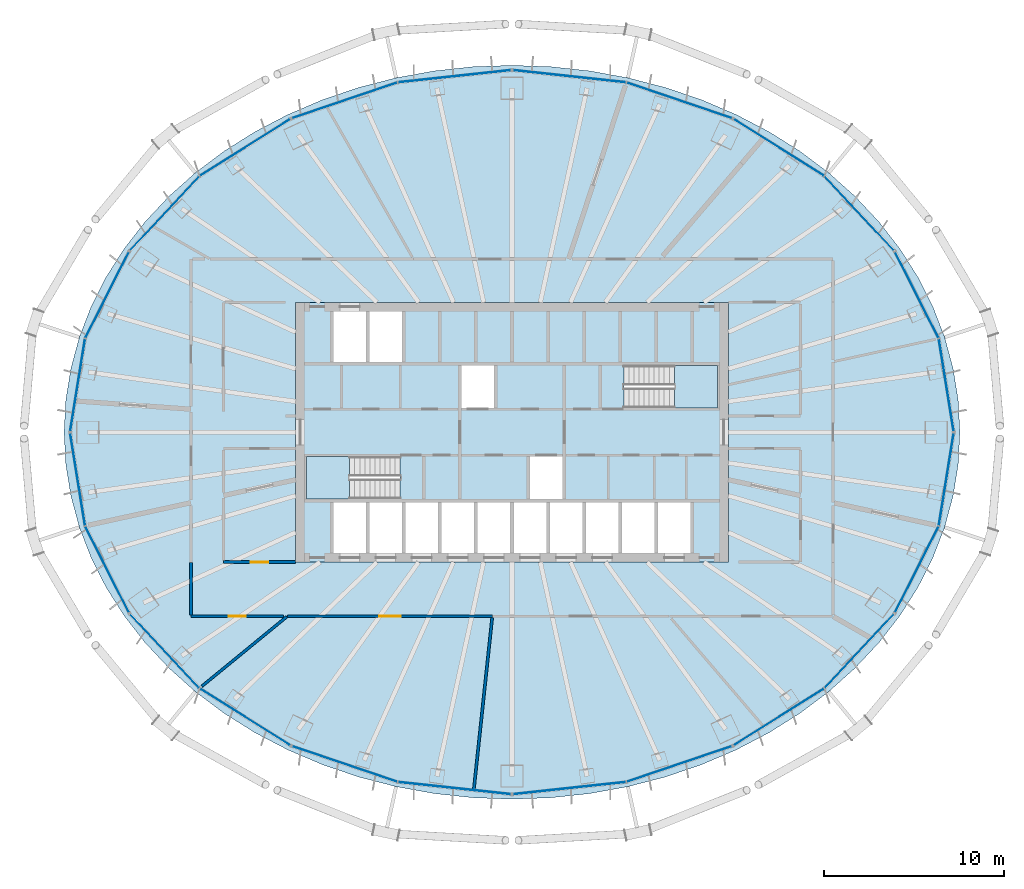
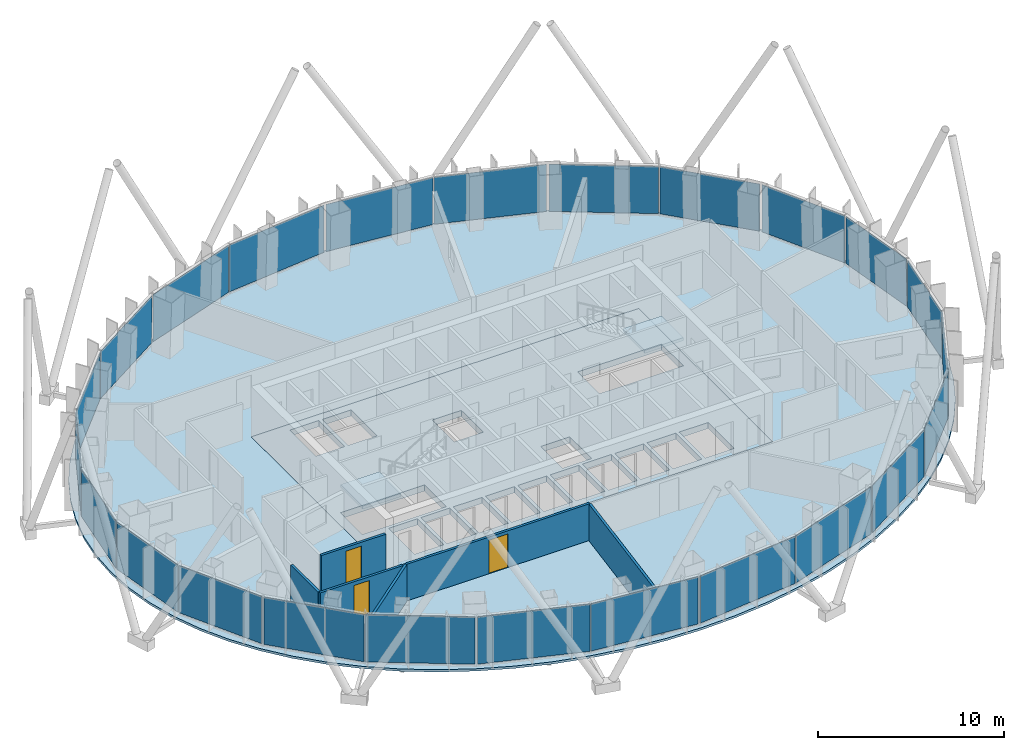
# One storey, part 7 of 18: 24 plates, 6 walls, 4 slabs, 3 doors, 3 openings, 14 elements without a shape of their own.
"""IFC4 building model written with IfcOpenShell, lengths in metres."""

from ifc_helpers import new_model, si_unit, direction, frame, frame_2d, origin, origin_2d, place, context, subcontext, project, spatial, polyline, rectangle, outline, extrude, material, layer, layer_set, type_object, element, fill, aggregate, save


model = new_model("IFC4")

# Units and contexts
model_context = context("Model", 3, precision=1e-05, world=origin(), true_north=direction((0.0, 1.0)))
body_context = subcontext(model_context, "Body", "Model", "MODEL_VIEW")
ifc_project = project(units=[si_unit("LENGTHUNIT", "METRE"), si_unit("AREAUNIT", "SQUARE_METRE"), si_unit("VOLUMEUNIT", "CUBIC_METRE"), si_unit("PLANEANGLEUNIT", "RADIAN"), si_unit("MASSUNIT", "GRAM", prefix="KILO")], contexts=[model_context])

# Site, building, storey
site_placement = place(None, origin())
site = spatial("IfcSite", under=ifc_project, at=site_placement, CompositionType="ELEMENT")
building_placement = place(site_placement, origin())
building = spatial("IfcBuilding", under=site, at=building_placement, Name="Siaravel Broadcast Tower", CompositionType="ELEMENT")
storey_placement = place(building_placement, frame((0.0, 0.0, 141.5)))
storey = spatial("IfcBuildingStorey", under=building, at=storey_placement, Name="L34", CompositionType="ELEMENT", Elevation=141.5)

# Curtain wall, plates
ifc_material_1 = material(Name="Aluminium 6063-T6", Category="aluminium")
ifc_layer_1 = layer(ifc_material_1, 0.199951171875)
ifc_layer_set_1 = layer_set([ifc_layer_1], Name="Aluminium 6063-T6")
curtain_wall_type = type_object("IfcCurtainWallType", Name="Unitised curtain wall, zone 2", PredefinedType="NOTDEFINED", material=ifc_layer_set_1)
curtain_wall_1_placement = place(storey_placement, origin())
curtain_wall_1 = element("IfcCurtainWall", 1, at=curtain_wall_1_placement, inside=storey, type_object=curtain_wall_type, Name="L34 Unitised curtain wall, zone 2 01", PredefinedType="NOTDEFINED")
ifc_material_2 = material(Name="Tinted laminated glass", Category="glass")
ifc_layer_2 = layer(ifc_material_2, 0.030029296875)
ifc_layer_set_2 = layer_set([ifc_layer_2], Name="Tinted laminated glass")
plate_type = type_object("IfcPlateType", Name="CW-Z2 glass panel", PredefinedType="CURTAIN_PANEL", material=ifc_layer_set_2)
plate_1_placement = place(storey_placement, frame((24.08251953125, 2.61572265625, 0.10986328125), z_axis=(0.0, 0.0, 1.0), x_axis=(-0.158685314, 0.987329211, 0.0)))
plate_1 = element("IfcPlate", 2, at=plate_1_placement, type_object=plate_type, Name="CW-Z2 glass panel", PredefinedType="CURTAIN_PANEL", context=body_context, shape_type="SweptSolid", body=[
    extrude(rectangle(XDim=5.168701171875, YDim=0.030029296875, at=origin_2d()), origin(), (0.0, 0.0, 1.0), 3.080078125),
])
plate_2_placement = place(storey_placement, frame((22.44970703125, 7.607177734375, 0.10986328125), z_axis=(0.0, 0.0, 1.0), x_axis=(-0.451260419, 0.89239231, 0.0)))
plate_2 = element("IfcPlate", 3, at=plate_2_placement, type_object=plate_type, Name="CW-Z2 glass panel", PredefinedType="CURTAIN_PANEL", context=body_context, shape_type="SweptSolid", body=[
    extrude(rectangle(XDim=5.33056640625, YDim=0.030029296875, at=origin_2d()), origin(), (0.0, 0.0, 1.0), 3.080078125),
])
aggregate(curtain_wall_1, [plate_1, plate_2])

curtain_wall_2_placement = place(storey_placement, origin())
curtain_wall_2 = element("IfcCurtainWall", 4, at=curtain_wall_2_placement, inside=storey, type_object=curtain_wall_type, Name="L34 Unitised curtain wall, zone 2 02", PredefinedType="NOTDEFINED")
plate_3_placement = place(storey_placement, frame((19.2587890625, 12.134521484375, 0.10986328125), z_axis=(0.0, 0.0, 1.0), x_axis=(-0.683654642, 0.72980568, 0.0)))
plate_3 = element("IfcPlate", 5, at=plate_3_placement, type_object=plate_type, Name="CW-Z2 glass panel", PredefinedType="CURTAIN_PANEL", context=body_context, shape_type="SweptSolid", body=[
    extrude(rectangle(XDim=5.60009765625, YDim=0.030029296875, at=origin_2d()), origin(), (0.0, 0.0, 1.0), 3.080078125),
])
plate_4_placement = place(storey_placement, frame((14.798828125, 15.787841796875, 0.10986328125), z_axis=(0.0, 0.0, 1.0), x_axis=(-0.846650254, 0.532149741, 0.0)))
plate_4 = element("IfcPlate", 6, at=plate_4_placement, type_object=plate_type, Name="CW-Z2 glass panel", PredefinedType="CURTAIN_PANEL", context=body_context, shape_type="SweptSolid", body=[
    extrude(rectangle(XDim=5.896240234375, YDim=0.030029296875, at=origin_2d()), origin(), (0.0, 0.0, 1.0), 3.080078125),
])
aggregate(curtain_wall_2, [plate_3, plate_4])

curtain_wall_3_placement = place(storey_placement, origin())
curtain_wall_3 = element("IfcCurtainWall", 7, at=curtain_wall_3_placement, inside=storey, type_object=curtain_wall_type, Name="L34 Unitised curtain wall, zone 2 03", PredefinedType="NOTDEFINED")
plate_5_placement = place(storey_placement, frame((9.2783203125, 18.39892578125, 0.10986328125), z_axis=(0.0, 0.0, 1.0), x_axis=(-0.946977111, 0.321301028, 0.0)))
plate_5 = element("IfcPlate", 8, at=plate_5_placement, type_object=plate_type, Name="CW-Z2 glass panel", PredefinedType="CURTAIN_PANEL", context=body_context, shape_type="SweptSolid", body=[
    extrude(rectangle(XDim=6.1416015625, YDim=0.030029296875, at=origin_2d()), origin(), (0.0, 0.0, 1.0), 3.080078125),
])
plate_6_placement = place(storey_placement, frame((3.185791015625, 19.736083984375, 0.10986328125), z_axis=(0.0, 0.0, 1.0), x_axis=(-0.994235575, 0.10721764, 0.0)))
plate_6 = element("IfcPlate", 9, at=plate_6_placement, type_object=plate_type, Name="CW-Z2 glass panel", PredefinedType="CURTAIN_PANEL", context=body_context, shape_type="SweptSolid", body=[
    extrude(rectangle(XDim=6.27880859375, YDim=0.030029296875, at=origin_2d()), origin(), (0.0, 0.0, 1.0), 3.080078125),
])
aggregate(curtain_wall_3, [plate_5, plate_6])

curtain_wall_4_placement = place(storey_placement, origin())
curtain_wall_4 = element("IfcCurtainWall", 10, at=curtain_wall_4_placement, inside=storey, type_object=curtain_wall_type, Name="L34 Unitised curtain wall, zone 2 04", PredefinedType="NOTDEFINED")
plate_7_placement = place(storey_placement, frame((-3.185791015625, 19.736083984375, 0.10986328125), z_axis=(0.0, 0.0, 1.0), x_axis=(-0.994235575, -0.10721764, 0.0)))
plate_7 = element("IfcPlate", 11, at=plate_7_placement, type_object=plate_type, Name="CW-Z2 glass panel", PredefinedType="CURTAIN_PANEL", context=body_context, shape_type="SweptSolid", body=[
    extrude(rectangle(XDim=6.27880859375, YDim=0.030029296875, at=origin_2d()), origin(), (0.0, 0.0, 1.0), 3.080078125),
])
plate_8_placement = place(storey_placement, frame((-9.2783203125, 18.39892578125, 0.10986328125), z_axis=(0.0, 0.0, 1.0), x_axis=(-0.946977111, -0.321301028, 0.0)))
plate_8 = element("IfcPlate", 12, at=plate_8_placement, type_object=plate_type, Name="CW-Z2 glass panel", PredefinedType="CURTAIN_PANEL", context=body_context, shape_type="SweptSolid", body=[
    extrude(rectangle(XDim=6.1416015625, YDim=0.030029296875, at=origin_2d()), origin(), (0.0, 0.0, 1.0), 3.080078125),
])
aggregate(curtain_wall_4, [plate_7, plate_8])

curtain_wall_5_placement = place(storey_placement, origin())
curtain_wall_5 = element("IfcCurtainWall", 13, at=curtain_wall_5_placement, inside=storey, type_object=curtain_wall_type, Name="L34 Unitised curtain wall, zone 2 05", PredefinedType="NOTDEFINED")
plate_9_placement = place(storey_placement, frame((-14.798828125, 15.787841796875, 0.10986328125), z_axis=(0.0, 0.0, 1.0), x_axis=(-0.846650254, -0.532149741, 0.0)))
plate_9 = element("IfcPlate", 14, at=plate_9_placement, type_object=plate_type, Name="CW-Z2 glass panel", PredefinedType="CURTAIN_PANEL", context=body_context, shape_type="SweptSolid", body=[
    extrude(rectangle(XDim=5.896240234375, YDim=0.030029296875, at=origin_2d()), origin(), (0.0, 0.0, 1.0), 3.080078125),
])
plate_10_placement = place(storey_placement, frame((-19.2587890625, 12.134521484375, 0.10986328125), z_axis=(0.0, 0.0, 1.0), x_axis=(-0.683654642, -0.72980568, 0.0)))
plate_10 = element("IfcPlate", 15, at=plate_10_placement, type_object=plate_type, Name="CW-Z2 glass panel", PredefinedType="CURTAIN_PANEL", context=body_context, shape_type="SweptSolid", body=[
    extrude(rectangle(XDim=5.60009765625, YDim=0.030029296875, at=origin_2d()), origin(), (0.0, 0.0, 1.0), 3.080078125),
])
aggregate(curtain_wall_5, [plate_9, plate_10])

curtain_wall_6_placement = place(storey_placement, origin())
curtain_wall_6 = element("IfcCurtainWall", 16, at=curtain_wall_6_placement, inside=storey, type_object=curtain_wall_type, Name="L34 Unitised curtain wall, zone 2 06", PredefinedType="NOTDEFINED")
plate_11_placement = place(storey_placement, frame((-22.44970703125, 7.607177734375, 0.10986328125), z_axis=(0.0, 0.0, 1.0), x_axis=(-0.451260419, -0.89239231, 0.0)))
plate_11 = element("IfcPlate", 17, at=plate_11_placement, type_object=plate_type, Name="CW-Z2 glass panel", PredefinedType="CURTAIN_PANEL", context=body_context, shape_type="SweptSolid", body=[
    extrude(rectangle(XDim=5.33056640625, YDim=0.030029296875, at=origin_2d()), origin(), (0.0, 0.0, 1.0), 3.080078125),
])
plate_12_placement = place(storey_placement, frame((-24.08251953125, 2.61572265625, 0.10986328125), z_axis=(0.0, 0.0, 1.0), x_axis=(-0.158685314, -0.987329211, 0.0)))
plate_12 = element("IfcPlate", 18, at=plate_12_placement, type_object=plate_type, Name="CW-Z2 glass panel", PredefinedType="CURTAIN_PANEL", context=body_context, shape_type="SweptSolid", body=[
    extrude(rectangle(XDim=5.168701171875, YDim=0.030029296875, at=origin_2d()), origin(), (0.0, 0.0, 1.0), 3.080078125),
])
aggregate(curtain_wall_6, [plate_11, plate_12])

curtain_wall_7_placement = place(storey_placement, origin())
curtain_wall_7 = element("IfcCurtainWall", 19, at=curtain_wall_7_placement, inside=storey, type_object=curtain_wall_type, Name="L34 Unitised curtain wall, zone 2 07", PredefinedType="NOTDEFINED")
plate_13_placement = place(storey_placement, frame((-24.08251953125, -2.61572265625, 0.10986328125), z_axis=(0.0, 0.0, 1.0), x_axis=(0.158685314, -0.987329211, 0.0)))
plate_13 = element("IfcPlate", 20, at=plate_13_placement, type_object=plate_type, Name="CW-Z2 glass panel", PredefinedType="CURTAIN_PANEL", context=body_context, shape_type="SweptSolid", body=[
    extrude(rectangle(XDim=5.168701171875, YDim=0.030029296875, at=origin_2d()), origin(), (0.0, 0.0, 1.0), 3.080078125),
])
plate_14_placement = place(storey_placement, frame((-22.44970703125, -7.607177734375, 0.10986328125), z_axis=(0.0, 0.0, 1.0), x_axis=(0.451260419, -0.89239231, 0.0)))
plate_14 = element("IfcPlate", 21, at=plate_14_placement, type_object=plate_type, Name="CW-Z2 glass panel", PredefinedType="CURTAIN_PANEL", context=body_context, shape_type="SweptSolid", body=[
    extrude(rectangle(XDim=5.33056640625, YDim=0.030029296875, at=origin_2d()), origin(), (0.0, 0.0, 1.0), 3.080078125),
])
aggregate(curtain_wall_7, [plate_13, plate_14])

curtain_wall_8_placement = place(storey_placement, origin())
curtain_wall_8 = element("IfcCurtainWall", 22, at=curtain_wall_8_placement, inside=storey, type_object=curtain_wall_type, Name="L34 Unitised curtain wall, zone 2 08", PredefinedType="NOTDEFINED")
plate_15_placement = place(storey_placement, frame((-19.2587890625, -12.134521484375, 0.10986328125), z_axis=(0.0, 0.0, 1.0), x_axis=(0.683654642, -0.72980568, 0.0)))
plate_15 = element("IfcPlate", 23, at=plate_15_placement, type_object=plate_type, Name="CW-Z2 glass panel", PredefinedType="CURTAIN_PANEL", context=body_context, shape_type="SweptSolid", body=[
    extrude(rectangle(XDim=5.60009765625, YDim=0.030029296875, at=origin_2d()), origin(), (0.0, 0.0, 1.0), 3.080078125),
])
plate_16_placement = place(storey_placement, frame((-14.798828125, -15.787841796875, 0.10986328125), z_axis=(0.0, 0.0, 1.0), x_axis=(0.846650254, -0.532149741, 0.0)))
plate_16 = element("IfcPlate", 24, at=plate_16_placement, type_object=plate_type, Name="CW-Z2 glass panel", PredefinedType="CURTAIN_PANEL", context=body_context, shape_type="SweptSolid", body=[
    extrude(rectangle(XDim=5.896240234375, YDim=0.030029296875, at=origin_2d()), origin(), (0.0, 0.0, 1.0), 3.080078125),
])
aggregate(curtain_wall_8, [plate_15, plate_16])

curtain_wall_9_placement = place(storey_placement, origin())
curtain_wall_9 = element("IfcCurtainWall", 25, at=curtain_wall_9_placement, inside=storey, type_object=curtain_wall_type, Name="L34 Unitised curtain wall, zone 2 09", PredefinedType="NOTDEFINED")
plate_17_placement = place(storey_placement, frame((-9.2783203125, -18.39892578125, 0.10986328125), z_axis=(0.0, 0.0, 1.0), x_axis=(0.946977111, -0.321301028, 0.0)))
plate_17 = element("IfcPlate", 26, at=plate_17_placement, type_object=plate_type, Name="CW-Z2 glass panel", PredefinedType="CURTAIN_PANEL", context=body_context, shape_type="SweptSolid", body=[
    extrude(rectangle(XDim=6.1416015625, YDim=0.030029296875, at=origin_2d()), origin(), (0.0, 0.0, 1.0), 3.080078125),
])
plate_18_placement = place(storey_placement, frame((-3.185791015625, -19.736083984375, 0.10986328125), z_axis=(0.0, 0.0, 1.0), x_axis=(0.994235575, -0.10721764, 0.0)))
plate_18 = element("IfcPlate", 27, at=plate_18_placement, type_object=plate_type, Name="CW-Z2 glass panel", PredefinedType="CURTAIN_PANEL", context=body_context, shape_type="SweptSolid", body=[
    extrude(rectangle(XDim=6.27880859375, YDim=0.030029296875, at=origin_2d()), origin(), (0.0, 0.0, 1.0), 3.080078125),
])
aggregate(curtain_wall_9, [plate_17, plate_18])

curtain_wall_10_placement = place(storey_placement, origin())
curtain_wall_10 = element("IfcCurtainWall", 28, at=curtain_wall_10_placement, inside=storey, type_object=curtain_wall_type, Name="L34 Unitised curtain wall, zone 2 10", PredefinedType="NOTDEFINED")
plate_19_placement = place(storey_placement, frame((3.185791015625, -19.736083984375, 0.10986328125), z_axis=(0.0, 0.0, 1.0), x_axis=(0.994235575, 0.10721764, 0.0)))
plate_19 = element("IfcPlate", 29, at=plate_19_placement, type_object=plate_type, Name="CW-Z2 glass panel", PredefinedType="CURTAIN_PANEL", context=body_context, shape_type="SweptSolid", body=[
    extrude(rectangle(XDim=6.27880859375, YDim=0.030029296875, at=origin_2d()), origin(), (0.0, 0.0, 1.0), 3.080078125),
])
plate_20_placement = place(storey_placement, frame((9.2783203125, -18.39892578125, 0.10986328125), z_axis=(0.0, 0.0, 1.0), x_axis=(0.946977111, 0.321301028, 0.0)))
plate_20 = element("IfcPlate", 30, at=plate_20_placement, type_object=plate_type, Name="CW-Z2 glass panel", PredefinedType="CURTAIN_PANEL", context=body_context, shape_type="SweptSolid", body=[
    extrude(rectangle(XDim=6.1416015625, YDim=0.030029296875, at=origin_2d()), origin(), (0.0, 0.0, 1.0), 3.080078125),
])
aggregate(curtain_wall_10, [plate_19, plate_20])

curtain_wall_11_placement = place(storey_placement, origin())
curtain_wall_11 = element("IfcCurtainWall", 31, at=curtain_wall_11_placement, inside=storey, type_object=curtain_wall_type, Name="L34 Unitised curtain wall, zone 2 11", PredefinedType="NOTDEFINED")
plate_21_placement = place(storey_placement, frame((14.798828125, -15.787841796875, 0.10986328125), z_axis=(0.0, 0.0, 1.0), x_axis=(0.846650254, 0.532149741, 0.0)))
plate_21 = element("IfcPlate", 32, at=plate_21_placement, type_object=plate_type, Name="CW-Z2 glass panel", PredefinedType="CURTAIN_PANEL", context=body_context, shape_type="SweptSolid", body=[
    extrude(rectangle(XDim=5.896240234375, YDim=0.030029296875, at=origin_2d()), origin(), (0.0, 0.0, 1.0), 3.080078125),
])
plate_22_placement = place(storey_placement, frame((19.2587890625, -12.134521484375, 0.10986328125), z_axis=(0.0, 0.0, 1.0), x_axis=(0.683654642, 0.72980568, 0.0)))
plate_22 = element("IfcPlate", 33, at=plate_22_placement, type_object=plate_type, Name="CW-Z2 glass panel", PredefinedType="CURTAIN_PANEL", context=body_context, shape_type="SweptSolid", body=[
    extrude(rectangle(XDim=5.60009765625, YDim=0.030029296875, at=origin_2d()), origin(), (0.0, 0.0, 1.0), 3.080078125),
])
aggregate(curtain_wall_11, [plate_21, plate_22])

curtain_wall_12_placement = place(storey_placement, origin())
curtain_wall_12 = element("IfcCurtainWall", 34, at=curtain_wall_12_placement, inside=storey, type_object=curtain_wall_type, Name="L34 Unitised curtain wall, zone 2 12", PredefinedType="NOTDEFINED")
plate_23_placement = place(storey_placement, frame((22.44970703125, -7.607177734375, 0.10986328125), z_axis=(0.0, 0.0, 1.0), x_axis=(0.451260419, 0.89239231, 0.0)))
plate_23 = element("IfcPlate", 35, at=plate_23_placement, type_object=plate_type, Name="CW-Z2 glass panel", PredefinedType="CURTAIN_PANEL", context=body_context, shape_type="SweptSolid", body=[
    extrude(rectangle(XDim=5.33056640625, YDim=0.030029296875, at=origin_2d()), origin(), (0.0, 0.0, 1.0), 3.080078125),
])
plate_24_placement = place(storey_placement, frame((24.08251953125, -2.61572265625, 0.10986328125), z_axis=(0.0, 0.0, 1.0), x_axis=(0.158685314, 0.987329211, 0.0)))
plate_24 = element("IfcPlate", 36, at=plate_24_placement, type_object=plate_type, Name="CW-Z2 glass panel", PredefinedType="CURTAIN_PANEL", context=body_context, shape_type="SweptSolid", body=[
    extrude(rectangle(XDim=5.168701171875, YDim=0.030029296875, at=origin_2d()), origin(), (0.0, 0.0, 1.0), 3.080078125),
])
aggregate(curtain_wall_12, [plate_23, plate_24])

# Slabs
ifc_material_3 = material(Name="Concrete C40/50", Category="concrete")
ifc_layer_3 = layer(ifc_material_3, 0.39990234375)
ifc_layer_set_3 = layer_set([ifc_layer_3], Name="Concrete C40/50")
slab_type_1 = type_object("IfcSlabType", Name="Core floor slab 400", PredefinedType="FLOOR", material=ifc_layer_set_3)
slab_1_placement = place(storey_placement, frame((0.0, 0.0, -0.39990234375)))
element("IfcSlab", 37, at=slab_1_placement, inside=storey, type_object=slab_type_1, Name="L34 core floor", PredefinedType="FLOOR", context=body_context, shape_type="SweptSolid", body=[
    extrude(outline(polyline([(-12.0, -7.199951171875), (-12.0, 7.199951171875), (12.0, 7.199951171875), (12.0, -7.199951171875), (-12.0, -7.199951171875)]), holes=[polyline([(11.3994140625, 1.3505859375), (11.3994140625, 3.699462890625), (6.200439453125, 3.699462890625), (6.200439453125, 1.3505859375), (11.3994140625, 1.3505859375)]), polyline([(9.89990234375, -3.89990234375), (8.10009765625, -3.89990234375), (8.10009765625, -6.699951171875), (9.89990234375, -6.699951171875), (9.89990234375, -3.89990234375)]), polyline([(7.89990234375, -3.89990234375), (6.10009765625, -3.89990234375), (6.10009765625, -6.699951171875), (7.89990234375, -6.699951171875), (7.89990234375, -3.89990234375)]), polyline([(5.89990234375, -3.89990234375), (4.10009765625, -3.89990234375), (4.10009765625, -6.699951171875), (5.89990234375, -6.699951171875), (5.89990234375, -3.89990234375)]), polyline([(3.89990234375, -3.89990234375), (2.10009765625, -3.89990234375), (2.10009765625, -6.699951171875), (3.89990234375, -6.699951171875), (3.89990234375, -3.89990234375)]), polyline([(2.800048828125, -1.35009765625), (1.0, -1.35009765625), (1.0, -3.699951171875), (2.800048828125, -3.699951171875), (2.800048828125, -1.35009765625)]), polyline([(1.89990234375, -3.89990234375), (0.10009765625, -3.89990234375), (0.10009765625, -6.699951171875), (1.89990234375, -6.699951171875), (1.89990234375, -3.89990234375)]), polyline([(-0.10009765625, -3.89990234375), (-1.89990234375, -3.89990234375), (-1.89990234375, -6.699951171875), (-0.10009765625, -6.699951171875), (-0.10009765625, -3.89990234375)]), polyline([(-1.0, 3.699951171875), (-2.800048828125, 3.699951171875), (-2.800048828125, 1.35009765625), (-1.0, 1.35009765625), (-1.0, 3.699951171875)]), polyline([(-2.10009765625, -3.89990234375), (-3.89990234375, -3.89990234375), (-3.89990234375, -6.699951171875), (-2.10009765625, -6.699951171875), (-2.10009765625, -3.89990234375)]), polyline([(-4.10009765625, -3.89990234375), (-5.89990234375, -3.89990234375), (-5.89990234375, -6.699951171875), (-4.10009765625, -6.699951171875), (-4.10009765625, -3.89990234375)]), polyline([(-6.10009765625, -3.89990234375), (-7.89990234375, -3.89990234375), (-7.89990234375, -6.699951171875), (-6.10009765625, -6.699951171875), (-6.10009765625, -3.89990234375)]), polyline([(-6.10009765625, 6.699951171875), (-7.89990234375, 6.699951171875), (-7.89990234375, 3.89990234375), (-6.10009765625, 3.89990234375), (-6.10009765625, 6.699951171875)]), polyline([(-11.3994140625, -1.3505859375), (-11.3994140625, -3.699462890625), (-6.200439453125, -3.699462890625), (-6.200439453125, -1.3505859375), (-11.3994140625, -1.3505859375)]), polyline([(-8.10009765625, -3.89990234375), (-9.89990234375, -3.89990234375), (-9.89990234375, -6.699951171875), (-8.10009765625, -6.699951171875), (-8.10009765625, -3.89990234375)]), polyline([(-8.10009765625, 6.699951171875), (-9.89990234375, 6.699951171875), (-9.89990234375, 3.89990234375), (-8.10009765625, 3.89990234375), (-8.10009765625, 6.699951171875)])]), origin(), (0.0, 0.0, 1.0), 0.39990234375),
])
ifc_layer_4 = layer(ifc_material_3, 0.14990234375)
ifc_layer_set_4 = layer_set([ifc_layer_4], Name="Concrete C40/50")
slab_type_2 = type_object("IfcSlabType", Name="SLB-FLOOR-150", PredefinedType="FLOOR", material=ifc_layer_set_4)
slab_2_placement = place(storey_placement, frame((0.0, 0.0, -0.14990234375)))
element("IfcSlab", 38, at=slab_2_placement, inside=storey, type_object=slab_type_2, Name="Floor slab", PredefinedType="FLOOR", context=body_context, shape_type="SweptSolid", body=[
    extrude(outline(polyline([(24.8369140625, 0.0), (24.742431640625, 1.773193359375), (24.459716796875, 3.53271484375), (23.990478515625, 5.265380859375), (23.339111328125, 6.958251953125), (22.510009765625, 8.597900390625), (21.509521484375, 10.172119140625), (20.34521484375, 11.6689453125), (19.026123046875, 13.0771484375), (17.562255859375, 14.385498046875), (15.96484375, 15.584716796875), (14.245849609375, 16.6650390625), (12.41845703125, 17.61865234375), (10.49658203125, 18.438232421875), (8.49462890625, 19.117431640625), (6.42822265625, 19.651123046875), (4.31298828125, 20.03515625), (2.164794921875, 20.266845703125), (0.0, 20.34423828125), (-2.164794921875, 20.266845703125), (-4.31298828125, 20.03515625), (-6.42822265625, 19.651123046875), (-8.49462890625, 19.117431640625), (-10.49658203125, 18.438232421875), (-12.41845703125, 17.61865234375), (-14.245849609375, 16.6650390625), (-15.96484375, 15.584716796875), (-17.562255859375, 14.385498046875), (-19.026123046875, 13.0771484375), (-20.34521484375, 11.6689453125), (-21.509521484375, 10.172119140625), (-22.510009765625, 8.597900390625), (-23.339111328125, 6.958251953125), (-23.990478515625, 5.265380859375), (-24.459716796875, 3.53271484375), (-24.742431640625, 1.773193359375), (-24.8369140625, 0.0), (-24.742431640625, -1.773193359375), (-24.459716796875, -3.53271484375), (-23.990478515625, -5.265380859375), (-23.339111328125, -6.958251953125), (-22.510009765625, -8.597900390625), (-21.509521484375, -10.172119140625), (-20.34521484375, -11.6689453125), (-19.026123046875, -13.0771484375), (-17.562255859375, -14.385498046875), (-15.96484375, -15.584716796875), (-14.245849609375, -16.6650390625), (-12.41845703125, -17.61865234375), (-10.49658203125, -18.438232421875), (-8.49462890625, -19.117431640625), (-6.42822265625, -19.651123046875), (-4.31298828125, -20.03515625), (-2.164794921875, -20.266845703125), (0.0, -20.34423828125), (2.164794921875, -20.266845703125), (4.31298828125, -20.03515625), (6.42822265625, -19.651123046875), (8.49462890625, -19.117431640625), (10.49658203125, -18.438232421875), (12.41845703125, -17.61865234375), (14.245849609375, -16.6650390625), (15.96484375, -15.584716796875), (17.562255859375, -14.385498046875), (19.026123046875, -13.0771484375), (20.34521484375, -11.6689453125), (21.509521484375, -10.172119140625), (22.510009765625, -8.597900390625), (23.339111328125, -6.958251953125), (23.990478515625, -5.265380859375), (24.459716796875, -3.53271484375), (24.742431640625, -1.773193359375), (24.8369140625, 0.0)]), holes=[polyline([(-12.0, 7.199951171875), (12.0, 7.199951171875), (12.0, -7.199951171875), (-12.0, -7.199951171875), (-12.0, 7.199951171875)])]), origin(), (0.0, 0.0, 1.0), 0.14990234375),
])

# Stair, slab
stair_type = type_object("IfcStairType", Name="Core exit stair", PredefinedType="HALF_TURN_STAIR", material=ifc_material_3)
stair_1_placement = place(storey_placement, origin())
stair_1 = element("IfcStair", 39, at=stair_1_placement, inside=storey, type_object=stair_type, Name="L34 Exit stair ST-1", PredefinedType="HALF_TURN_STAIR")
ifc_layer_5 = layer(ifc_material_3, 0.199951171875)
ifc_layer_set_5 = layer_set([ifc_layer_5], Name="Concrete C40/50")
slab_type_3 = type_object("IfcSlabType", Name="Stair landing", PredefinedType="LANDING", material=ifc_layer_set_5)
slab_3_placement = place(storey_placement, frame((0.0, 0.0, 1.64990234375)))
slab_3 = element("IfcSlab", 40, at=slab_3_placement, type_object=slab_type_3, Name="ST-1 landing 1", PredefinedType="LANDING", context=body_context, shape_type="SweptSolid", body=[
    extrude(outline(polyline([(-9.0, -1.35009765625), (-11.39990234375, -1.35009765625), (-11.39990234375, -3.699951171875), (-9.0, -3.699951171875), (-9.0, -1.35009765625)])), origin(), (0.0, 0.0, 1.0), 0.2001953125),
])
aggregate(stair_1, [slab_3])

stair_2_placement = place(storey_placement, origin())
stair_2 = element("IfcStair", 41, at=stair_2_placement, inside=storey, type_object=stair_type, Name="L34 Exit stair ST-2", PredefinedType="HALF_TURN_STAIR")
slab_4_placement = place(storey_placement, frame((0.0, 0.0, 1.64990234375)))
slab_4 = element("IfcSlab", 42, at=slab_4_placement, type_object=slab_type_3, Name="ST-2 landing 1", PredefinedType="LANDING", context=body_context, shape_type="SweptSolid", body=[
    extrude(outline(polyline([(9.0, 1.35009765625), (11.39990234375, 1.35009765625), (11.39990234375, 3.699951171875), (9.0, 3.699951171875), (9.0, 1.35009765625)])), origin(), (0.0, 0.0, 1.0), 0.2001953125),
])
aggregate(stair_2, [slab_4])

# Wall, opening, door
ifc_material_4 = material(Name="Gypsum board partition", Category="gypsum")
ifc_layer_6 = layer(ifc_material_4, 0.14990234375)
ifc_layer_set_6 = layer_set([ifc_layer_6], Name="Gypsum board partition")
wall_type_1 = type_object("IfcWallType", Name="Corridor wall 150", PredefinedType="PARTITIONING", material=ifc_layer_set_6)
wall_1_placement = place(storey_placement, frame((-12.452392578125, -10.199951171875, 0.0), z_axis=(0.0, 0.0, 1.0), x_axis=(1.0, 0.0, 0.0)))
wall_1 = element("IfcWall", 43, at=wall_1_placement, inside=storey, type_object=wall_type_1, Name="L34 partition 1", PredefinedType="PARTITIONING", context=body_context, shape_type="SweptSolid", body=[
    extrude(rectangle(XDim=11.36279296875, YDim=0.14990234375, at=frame_2d((5.681396484375, 0.0))), origin(), (0.0, 0.0, 1.0), 2.39990234375),
])
opening_1_placement = place(wall_1_placement, frame((5.08154296875, 0.0, 0.0)))
opening_1 = element("IfcOpeningElement", 44, at=opening_1_placement, cuts=wall_1, Name="Opening L34-003", PredefinedType="OPENING", context=body_context, shape_type="SweptSolid", body=[
    extrude(rectangle(XDim=1.199951171875, YDim=2.199951171875, at=frame_2d((0.60009765625, 1.10009765625))), frame((0.0, 0.0849609375, 0.0), z_axis=(0.0, -1.0, 0.0), x_axis=(1.0, 0.0, 0.0)), (0.0, 0.0, 1.0), 0.169921875),
])
ifc_material_5 = material(Name="Timber veneer", Category="wood")
door_type_1 = type_object("IfcDoorType", Name="Office double door 1200", OperationType="DOUBLE_DOOR_SINGLE_SWING", PredefinedType="DOOR", material=ifc_material_5)
door_1_placement = place(opening_1_placement, origin())
door_1 = element("IfcDoor", 45, at=door_1_placement, inside=storey, type_object=door_type_1, Name="L34 door to Open plan production office", OperationType="DOUBLE_DOOR_SINGLE_SWING", OverallHeight=2.199951171875, OverallWidth=1.199951171875, PredefinedType="DOOR", context=body_context, shape_type="SweptSolid", body=[
    extrude(rectangle(XDim=1.199951171875, YDim=2.199951171875, at=frame_2d((0.60009765625, 1.10009765625))), frame((0.0, 0.02490234375, 0.0), z_axis=(0.0, -1.0, 0.0), x_axis=(1.0, 0.0, 0.0)), (0.0, 0.0, 1.0), 0.050048828125),
])
fill(opening_1, door_1)

wall_2_placement = place(storey_placement, frame((-17.800048828125, -10.199951171875, 0.0), z_axis=(0.0, 0.0, 1.0), x_axis=(1.0, 0.0, 0.0)))
wall_2 = element("IfcWall", 46, at=wall_2_placement, inside=storey, type_object=wall_type_1, Name="L34 partition 20", PredefinedType="PARTITIONING", context=body_context, shape_type="SweptSolid", body=[
    extrude(rectangle(XDim=5.1357421875, YDim=0.14990234375, at=frame_2d((2.56787109375, 0.0))), origin(), (0.0, 0.0, 1.0), 2.39990234375),
])
opening_2_placement = place(wall_2_placement, frame((2.0927734375, 0.0, 0.0)))
opening_2 = element("IfcOpeningElement", 47, at=opening_2_placement, cuts=wall_2, Name="Opening L34-001", PredefinedType="OPENING", context=body_context, shape_type="SweptSolid", body=[
    extrude(rectangle(XDim=0.949951171875, YDim=2.14990234375, at=frame_2d((0.47509765625, 1.074951171875))), frame((0.0, 0.0849609375, 0.0), z_axis=(0.0, -1.0, 0.0), x_axis=(1.0, 0.0, 0.0)), (0.0, 0.0, 1.0), 0.169921875),
])
door_type_2 = type_object("IfcDoorType", Name="Office door 950", OperationType="SINGLE_SWING_LEFT", PredefinedType="DOOR", material=ifc_material_5)
door_2_placement = place(opening_2_placement, origin())
door_2 = element("IfcDoor", 48, at=door_2_placement, inside=storey, type_object=door_type_2, Name="L34 door to Production office", OperationType="SINGLE_SWING_LEFT", OverallHeight=2.14990234375, OverallWidth=0.949951171875, PredefinedType="DOOR", context=body_context, shape_type="SweptSolid", body=[
    extrude(rectangle(XDim=0.949951171875, YDim=2.14990234375, at=frame_2d((0.47509765625, 1.074951171875))), frame((0.0, 0.02490234375, 0.0), z_axis=(0.0, -1.0, 0.0), x_axis=(1.0, 0.0, 0.0)), (0.0, 0.0, 1.0), 0.050048828125),
])
fill(opening_2, door_2)

wall_3_placement = place(storey_placement, frame((-12.0, -7.199951171875, 0.0), z_axis=(0.0, 0.0, 1.0), x_axis=(-1.0, 0.0, 0.0)))
wall_3 = element("IfcWall", 49, at=wall_3_placement, inside=storey, type_object=wall_type_1, Name="L34 partition 27", PredefinedType="PARTITIONING", context=body_context, shape_type="SweptSolid", body=[
    extrude(rectangle(XDim=4.0, YDim=0.14990234375, at=frame_2d((2.0, 0.0))), origin(), (0.0, 0.0, 1.0), 2.39990234375),
])
opening_3_placement = place(wall_3_placement, frame((1.52490234375, 0.0, 0.0)))
opening_3 = element("IfcOpeningElement", 50, at=opening_3_placement, cuts=wall_3, Name="Opening L34-002", PredefinedType="OPENING", context=body_context, shape_type="SweptSolid", body=[
    extrude(rectangle(XDim=0.949951171875, YDim=2.14990234375, at=frame_2d((0.47509765625, 1.074951171875))), frame((0.0, 0.0849609375, 0.0), z_axis=(0.0, -1.0, 0.0), x_axis=(1.0, 0.0, 0.0)), (0.0, 0.0, 1.0), 0.169921875),
])
door_3_placement = place(opening_3_placement, origin())
door_3 = element("IfcDoor", 51, at=door_3_placement, inside=storey, type_object=door_type_2, Name="L34 door to Production office", OperationType="SINGLE_SWING_RIGHT", OverallHeight=2.14990234375, OverallWidth=0.949951171875, PredefinedType="DOOR", context=body_context, shape_type="SweptSolid", body=[
    extrude(rectangle(XDim=0.949951171875, YDim=2.14990234375, at=frame_2d((0.47509765625, 1.074951171875))), frame((0.0, 0.02490234375, 0.0), z_axis=(0.0, -1.0, 0.0), x_axis=(1.0, 0.0, 0.0)), (0.0, 0.0, 1.0), 0.050048828125),
])
fill(opening_3, door_3)

# Walls
wall_4_placement = place(storey_placement, frame((-17.800048828125, -7.212890625, 0.0), z_axis=(0.0, 0.0, 1.0), x_axis=(0.0, -1.0, 0.0)))
element("IfcWall", 52, at=wall_4_placement, inside=storey, type_object=wall_type_1, Name="L34 partition 41", PredefinedType="PARTITIONING", context=body_context, shape_type="SweptSolid", body=[
    extrude(rectangle(XDim=2.91015625, YDim=0.14990234375, at=frame_2d((1.455078125, 0.0))), origin(), (0.0, 0.0, 1.0), 2.39990234375),
])
ifc_layer_7 = layer(ifc_material_4, 0.14990234375)
ifc_layer_set_7 = layer_set([ifc_layer_7], Name="Gypsum board partition")
wall_type_2 = type_object("IfcWallType", Name="Room partition 150", PredefinedType="PARTITIONING", material=ifc_layer_set_7)
wall_5_placement = place(storey_placement, frame((-2.118408203125, -19.833740234375, 0.0), z_axis=(0.0, 0.0, 1.0), x_axis=(0.106217143, 0.994342958, 0.0)))
element("IfcWall", 53, at=wall_5_placement, inside=storey, type_object=wall_type_2, Name="L34 partition 6", PredefinedType="PARTITIONING", context=body_context, shape_type="SweptSolid", body=[
    extrude(rectangle(XDim=9.603271484375, YDim=0.14990234375, at=frame_2d((4.8017578125, 0.0))), origin(), (0.0, 0.0, 1.0), 2.39990234375),
])
wall_6_placement = place(storey_placement, frame((-17.1953125, -14.0849609375, 0.0), z_axis=(0.0, 0.0, 1.0), x_axis=(0.77361018, 0.63366181, 0.0)))
element("IfcWall", 54, at=wall_6_placement, inside=storey, type_object=wall_type_2, Name="L34 partition 14", PredefinedType="PARTITIONING", context=body_context, shape_type="SweptSolid", body=[
    extrude(rectangle(XDim=6.081298828125, YDim=0.14990234375, at=frame_2d((3.04052734375, 0.0))), origin(), (0.0, 0.0, 1.0), 2.39990234375),
])

save(model, "model.ifc")
